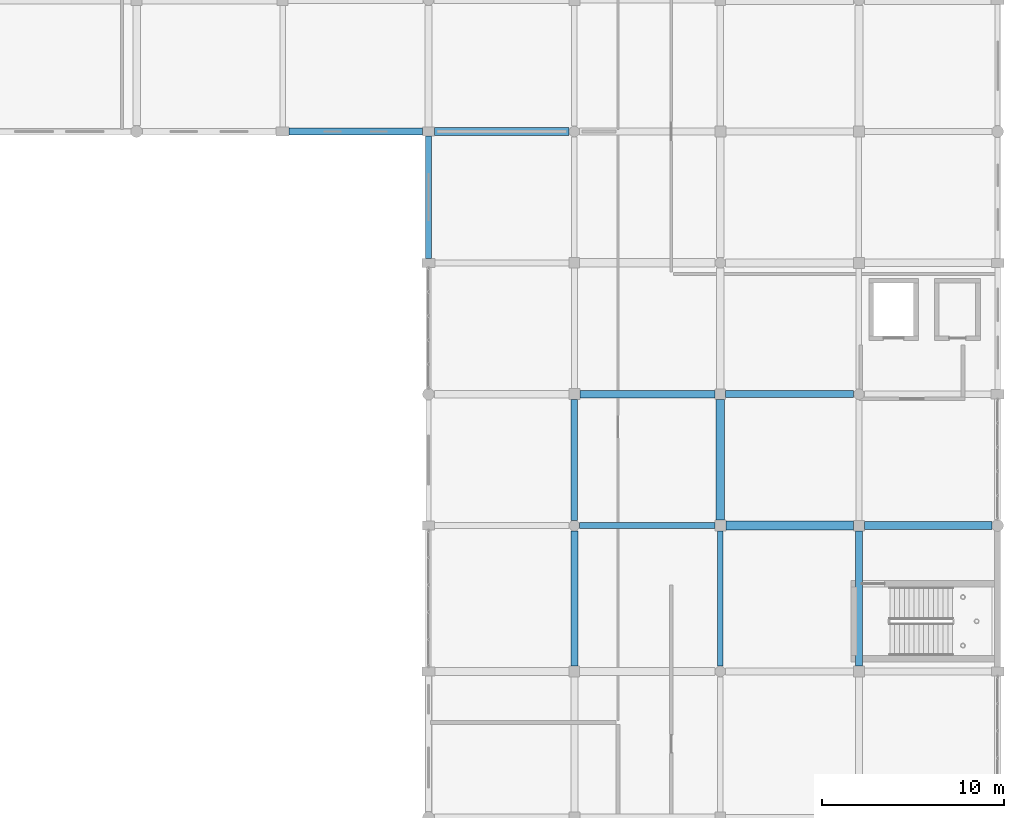
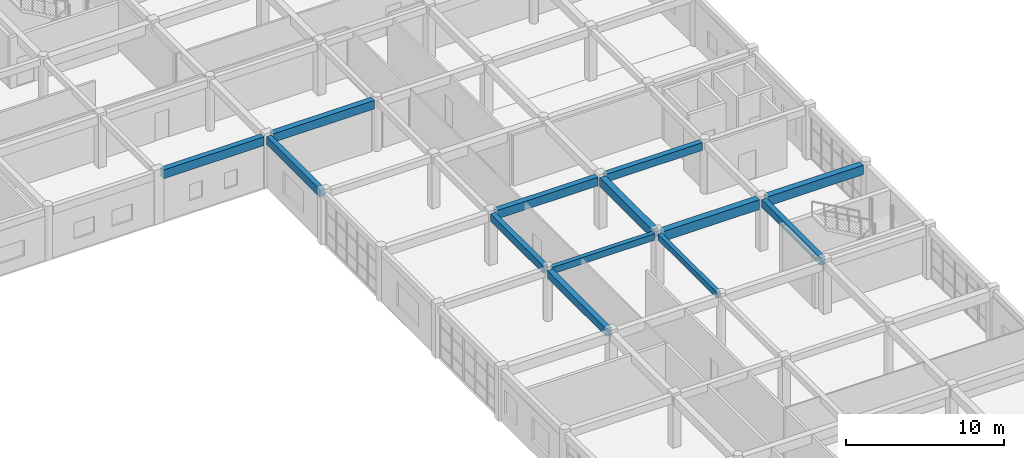
# One storey, part 27 of 53: 13 beams.
"""IFC4 building model written with IfcOpenShell, lengths in metres."""

from ifc_helpers import new_model, si_unit, direction, frame, origin, origin_2d, place, context, subcontext, project, spatial, rectangle, extrude, material, material_profile, profile_set, type_object, element, save


model = new_model("IFC4")

# Units and contexts
model_context = context("Model", 3, precision=1e-05, world=origin(), true_north=direction((0.0, 1.0)))
body_context = subcontext(model_context, "Body", "Model", "MODEL_VIEW")
ifc_project = project(units=[si_unit("LENGTHUNIT", "METRE"), si_unit("AREAUNIT", "SQUARE_METRE"), si_unit("VOLUMEUNIT", "CUBIC_METRE"), si_unit("PLANEANGLEUNIT", "RADIAN"), si_unit("MASSUNIT", "GRAM", prefix="KILO")], contexts=[model_context])

# Site, building, storey
site_placement = place(None, origin())
site = spatial("IfcSite", under=ifc_project, at=site_placement, CompositionType="ELEMENT")
building_placement = place(site_placement, origin())
building = spatial("IfcBuilding", under=site, at=building_placement, Name="Kharva Crest Polytechnic", CompositionType="ELEMENT")
storey_placement = place(building_placement, frame((0.0, 0.0, 17.39990234375)))
storey = spatial("IfcBuildingStorey", under=building, at=storey_placement, Name="L04", CompositionType="ELEMENT", Elevation=17.39990234375)

# Beams
ifc_material = material(Name="Concrete C35/45", Category="concrete")
ifc_material_profile_1 = material_profile(ifc_material, rectangle(XDim=0.300048828125, YDim=0.449951171875, at=origin_2d()), Name="RECT 300 X 450")
ifc_profile_set_1 = profile_set([ifc_material_profile_1], Name="Concrete C35/45")
beam_type_1 = type_object("IfcBeamType", Name="BM-RC-300X450", PredefinedType="BEAM", material=ifc_profile_set_1)
beam_1_placement = place(storey_placement, frame((168.800048828125, 71.090087890625, 3.7451171875), z_axis=(0.0, 1.0, 0.0), x_axis=(-1.0, 0.0, 0.0)))
element("IfcBeam", 1, at=beam_1_placement, inside=storey, type_object=beam_type_1, Name="L04 Girder 22/K-L", PredefinedType="BEAM", context=body_context, shape_type="SweptSolid", body=[
    extrude(rectangle(XDim=0.300048828125, YDim=0.449951171875, at=origin_2d()), origin(), (0.0, 0.0, 1.0), 7.409912109375),
])
ifc_material_profile_2 = material_profile(ifc_material, rectangle(XDim=0.320068359375, YDim=0.5, at=origin_2d()), Name="RECT 320 X 500")
ifc_profile_set_2 = profile_set([ifc_material_profile_2], Name="Concrete C35/45")
beam_type_2 = type_object("IfcBeamType", Name="BM-RC-320X500", PredefinedType="BEAM", material=ifc_profile_set_2)
beam_2_placement = place(storey_placement, frame((161.090087890625, 78.800048828125, 3.72021484375), z_axis=(1.0, 0.0, 0.0), x_axis=(0.0, 1.0, 0.0)))
element("IfcBeam", 2, at=beam_2_placement, inside=storey, type_object=beam_type_2, Name="L04 Beam L/21-22", PredefinedType="BEAM", context=body_context, shape_type="SweptSolid", body=[
    extrude(rectangle(XDim=0.320068359375, YDim=0.5, at=origin_2d()), origin(), (0.0, 0.0, 1.0), 7.409912109375),
])
ifc_material_profile_3 = material_profile(ifc_material, rectangle(XDim=0.360107421875, YDim=0.580078125, at=origin_2d()), Name="RECT 360 X 580")
ifc_profile_set_3 = profile_set([ifc_material_profile_3], Name="Concrete C35/45")
beam_type_3 = type_object("IfcBeamType", Name="BM-RC-360X580", PredefinedType="BEAM", material=ifc_profile_set_3)
beam_3_placement = place(storey_placement, frame((160.800048828125, 79.090087890625, 3.68017578125), z_axis=(0.0, 1.0, 0.0), x_axis=(-1.0, 0.0, 0.0)))
element("IfcBeam", 3, at=beam_3_placement, inside=storey, type_object=beam_type_3, Name="L04 Girder 21/L-M", PredefinedType="BEAM", context=body_context, shape_type="SweptSolid", body=[
    extrude(rectangle(XDim=0.360107421875, YDim=0.580078125, at=origin_2d()), origin(), (0.0, 0.0, 1.0), 6.60986328125),
])
beam_4_placement = place(storey_placement, frame((176.39990234375, 71.10009765625, 3.68017578125), z_axis=(0.0, 1.0, 0.0), x_axis=(-1.0, 0.0, 0.0)))
element("IfcBeam", 4, at=beam_4_placement, inside=storey, type_object=beam_type_3, Name="L04 Girder 23/K-L", PredefinedType="BEAM", context=body_context, shape_type="SweptSolid", body=[
    extrude(rectangle(XDim=0.360107421875, YDim=0.580078125, at=origin_2d()), origin(), (0.0, 0.0, 1.0), 7.409912109375),
])
ifc_material_profile_4 = material_profile(ifc_material, rectangle(XDim=0.3798828125, YDim=0.60009765625, at=origin_2d()), Name="RECT 380 X 600")
ifc_profile_set_4 = profile_set([ifc_material_profile_4], Name="Concrete C35/45")
beam_type_4 = type_object("IfcBeamType", Name="BM-RC-380X600", PredefinedType="BEAM", material=ifc_profile_set_4)
beam_5_placement = place(storey_placement, frame((169.090087890625, 86.0, 3.670166015625), z_axis=(1.0, 0.0, 0.0), x_axis=(0.0, 1.0, 0.0)))
element("IfcBeam", 5, at=beam_5_placement, inside=storey, type_object=beam_type_4, Name="L04 Beam M/22-23", PredefinedType="BEAM", context=body_context, shape_type="SweptSolid", body=[
    extrude(rectangle(XDim=0.3798828125, YDim=0.60009765625, at=origin_2d()), origin(), (0.0, 0.0, 1.0), 7.02001953125),
])
ifc_material_profile_5 = material_profile(ifc_material, rectangle(XDim=0.39990234375, YDim=0.580078125, at=origin_2d()), Name="RECT 400 X 580")
ifc_profile_set_5 = profile_set([ifc_material_profile_5], Name="Concrete C35/45")
beam_type_5 = type_object("IfcBeamType", Name="BM-RC-400X580", PredefinedType="BEAM", material=ifc_profile_set_5)
beam_6_placement = place(storey_placement, frame((160.800048828125, 71.090087890625, 3.68017578125), z_axis=(0.0, 1.0, 0.0), x_axis=(-1.0, 0.0, 0.0)))
element("IfcBeam", 6, at=beam_6_placement, inside=storey, type_object=beam_type_5, Name="L04 Girder 21/K-L", PredefinedType="BEAM", context=body_context, shape_type="SweptSolid", body=[
    extrude(rectangle(XDim=0.39990234375, YDim=0.580078125, at=origin_2d()), origin(), (0.0, 0.0, 1.0), 7.419921875),
])
ifc_material_profile_6 = material_profile(ifc_material, rectangle(XDim=0.39990234375, YDim=0.64990234375, at=origin_2d()), Name="RECT 400 X 650")
ifc_profile_set_6 = profile_set([ifc_material_profile_6], Name="Concrete C35/45")
beam_type_6 = type_object("IfcBeamType", Name="BM-RC-400X650", PredefinedType="BEAM", material=ifc_profile_set_6)
beam_7_placement = place(storey_placement, frame((161.10009765625, 86.0, 3.64501953125), z_axis=(1.0, 0.0, 0.0), x_axis=(0.0, 1.0, 0.0)))
element("IfcBeam", 7, at=beam_7_placement, inside=storey, type_object=beam_type_6, Name="L04 Beam M/21-22", PredefinedType="BEAM", context=body_context, shape_type="SweptSolid", body=[
    extrude(rectangle(XDim=0.39990234375, YDim=0.64990234375, at=origin_2d()), origin(), (0.0, 0.0, 1.0), 7.409912109375),
])
ifc_material_profile_7 = material_profile(ifc_material, rectangle(XDim=0.419921875, YDim=0.659912109375, at=origin_2d()), Name="RECT 420 X 660")
ifc_profile_set_7 = profile_set([ifc_material_profile_7], Name="Concrete C35/45")
beam_type_7 = type_object("IfcBeamType", Name="BM-RC-420X660", PredefinedType="BEAM", material=ifc_profile_set_7)
beam_8_placement = place(storey_placement, frame((153.139892578125, 100.39990234375, 3.64013671875), z_axis=(1.0, 0.0, 0.0), x_axis=(0.0, 1.0, 0.0)))
element("IfcBeam", 8, at=beam_8_placement, inside=storey, type_object=beam_type_7, Name="L04 Beam P/20-21", PredefinedType="BEAM", context=body_context, shape_type="SweptSolid", body=[
    extrude(rectangle(XDim=0.419921875, YDim=0.659912109375, at=origin_2d()), origin(), (0.0, 0.0, 1.0), 7.3701171875),
])
ifc_material_profile_8 = material_profile(ifc_material, rectangle(XDim=0.449951171875, YDim=0.679931640625, at=origin_2d()), Name="RECT 450 X 680")
ifc_profile_set_8 = profile_set([ifc_material_profile_8], Name="Concrete C35/45")
beam_type_8 = type_object("IfcBeamType", Name="BM-RC-450X680", PredefinedType="BEAM", material=ifc_profile_set_8)
beam_9_placement = place(storey_placement, frame((168.800048828125, 79.10009765625, 3.630126953125), z_axis=(0.0, 1.0, 0.0), x_axis=(-1.0, 0.0, 0.0)))
element("IfcBeam", 9, at=beam_9_placement, inside=storey, type_object=beam_type_8, Name="L04 Girder 22/L-M", PredefinedType="BEAM", context=body_context, shape_type="SweptSolid", body=[
    extrude(rectangle(XDim=0.449951171875, YDim=0.679931640625, at=origin_2d()), origin(), (0.0, 0.0, 1.0), 6.60986328125),
])
ifc_material_profile_9 = material_profile(ifc_material, rectangle(XDim=0.449951171875, YDim=0.719970703125, at=origin_2d()), Name="RECT 450 X 720")
ifc_profile_set_9 = profile_set([ifc_material_profile_9], Name="Concrete C35/45")
beam_type_9 = type_object("IfcBeamType", Name="BM-RC-450X720", PredefinedType="BEAM", material=ifc_profile_set_9)
beam_10_placement = place(storey_placement, frame((176.68994140625, 78.800048828125, 3.610107421875), z_axis=(1.0, 0.0, 0.0), x_axis=(0.0, 1.0, 0.0)))
element("IfcBeam", 10, at=beam_10_placement, inside=storey, type_object=beam_type_9, Name="L04 Beam L/23-24", PredefinedType="BEAM", context=body_context, shape_type="SweptSolid", body=[
    extrude(rectangle(XDim=0.449951171875, YDim=0.719970703125, at=origin_2d()), origin(), (0.0, 0.0, 1.0), 6.989990234375),
])
ifc_material_profile_10 = material_profile(ifc_material, rectangle(XDim=0.47998046875, YDim=0.75, at=origin_2d()), Name="RECT 480 X 750")
ifc_profile_set_10 = profile_set([ifc_material_profile_10], Name="Concrete C35/45")
beam_type_10 = type_object("IfcBeamType", Name="BM-RC-480X750", PredefinedType="BEAM", material=ifc_profile_set_10)
beam_11_placement = place(storey_placement, frame((169.10009765625, 78.800048828125, 3.59521484375), z_axis=(1.0, 0.0, 0.0), x_axis=(0.0, 1.0, 0.0)))
element("IfcBeam", 11, at=beam_11_placement, inside=storey, type_object=beam_type_10, Name="L04 Beam L/22-23", PredefinedType="BEAM", context=body_context, shape_type="SweptSolid", body=[
    extrude(rectangle(XDim=0.47998046875, YDim=0.75, at=origin_2d()), origin(), (0.0, 0.0, 1.0), 7.010009765625),
])
ifc_material_profile_11 = material_profile(ifc_material, rectangle(XDim=0.35009765625, YDim=0.6201171875, at=origin_2d()), Name="RECT 350 X 620")
ifc_profile_set_11 = profile_set([ifc_material_profile_11], Name="Concrete C35/45")
beam_type_11 = type_object("IfcBeamType", Name="SP-RC-350X620", PredefinedType="SPANDREL", material=ifc_profile_set_11)
beam_12_placement = place(storey_placement, frame((152.800048828125, 93.449951171875, 3.66015625), z_axis=(0.0, 1.0, 0.0), x_axis=(-1.0, 0.0, 0.0)))
element("IfcBeam", 12, at=beam_12_placement, inside=storey, type_object=beam_type_11, Name="L04 Girder 20/N-P", PredefinedType="SPANDREL", context=body_context, shape_type="SweptSolid", body=[
    extrude(rectangle(XDim=0.35009765625, YDim=0.6201171875, at=origin_2d()), origin(), (0.0, 0.0, 1.0), 6.699951171875),
])
ifc_material_profile_12 = material_profile(ifc_material, rectangle(XDim=0.3798828125, YDim=0.679931640625, at=origin_2d()), Name="RECT 380 X 680")
ifc_profile_set_12 = profile_set([ifc_material_profile_12], Name="Concrete C35/45")
beam_type_12 = type_object("IfcBeamType", Name="SP-RC-380X680", PredefinedType="SPANDREL", material=ifc_profile_set_12)
beam_13_placement = place(storey_placement, frame((145.14990234375, 100.39990234375, 3.630126953125), z_axis=(1.0, 0.0, 0.0), x_axis=(0.0, 1.0, 0.0)))
element("IfcBeam", 13, at=beam_13_placement, inside=storey, type_object=beam_type_12, Name="L04 Beam P/19-20", PredefinedType="SPANDREL", context=body_context, shape_type="SweptSolid", body=[
    extrude(rectangle(XDim=0.3798828125, YDim=0.679931640625, at=origin_2d()), origin(), (0.0, 0.0, 1.0), 7.31005859375),
])

save(model, "model.ifc")
